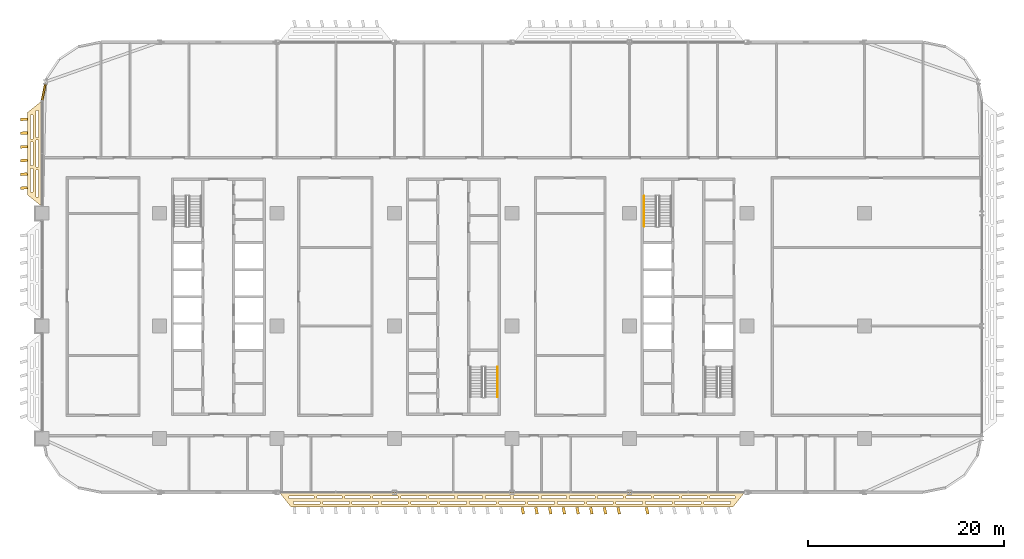
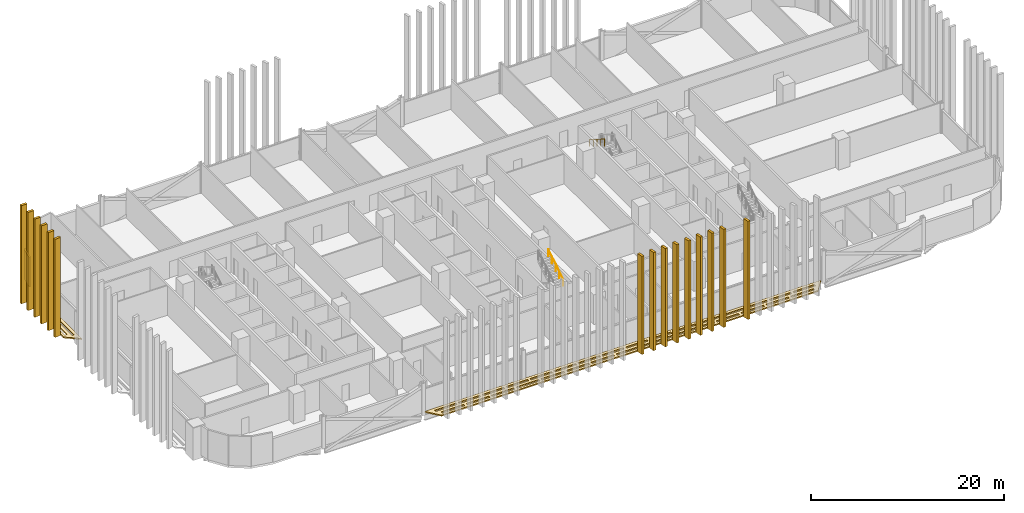
# One storey, part 26 of 31: 18 coverings, 2 railings.
"""IFC4 building model written with IfcOpenShell, lengths in metres."""

from ifc_helpers import new_model, si_unit, direction, frame, origin, origin_2d, place, context, subcontext, project, spatial, polyline, rectangle, circle, outline, extrude, material, layer, layer_set, type_object, element, save


model = new_model("IFC4")

# Units and contexts
model_context = context("Model", 3, precision=1e-05, world=origin(), true_north=direction((0.0, 1.0)))
body_context = subcontext(model_context, "Body", "Model", "MODEL_VIEW")
ifc_project = project(units=[si_unit("LENGTHUNIT", "METRE"), si_unit("AREAUNIT", "SQUARE_METRE"), si_unit("VOLUMEUNIT", "CUBIC_METRE"), si_unit("PLANEANGLEUNIT", "RADIAN"), si_unit("MASSUNIT", "GRAM", prefix="KILO")], contexts=[model_context])

# Site, building, storey
site_placement = place(None, origin())
site = spatial("IfcSite", under=ifc_project, at=site_placement, CompositionType="ELEMENT")
building_placement = place(site_placement, origin())
building = spatial("IfcBuilding", under=site, at=building_placement, Name="Mahtab Terrace Research Tower", CompositionType="ELEMENT")
storey_placement = place(building_placement, frame((0.0, 0.0, 101.199951171875)))
storey = spatial("IfcBuildingStorey", under=building, at=storey_placement, Name="L23", CompositionType="ELEMENT", Elevation=101.199951171875)

# Coverings
ifc_material_1 = material(Name="Black aluminium cladding panel", Category="aluminium")
ifc_layer_1 = layer(ifc_material_1, 0.199951171875)
ifc_layer_set_1 = layer_set([ifc_layer_1], Name="Black metal corner cladding 200")
covering_type_1 = type_object("IfcCoveringType", Name="Black metal corner cladding 200", PredefinedType="CLADDING", material=ifc_layer_set_1)
covering_1_placement = place(storey_placement, frame((-41.833740234375, 23.83544921875, 0.0), z_axis=(0.0, 0.0, 1.0), x_axis=(-0.195212442692, -0.980760981187, 0.0)))
element("IfcCovering", 1, at=covering_1_placement, inside=storey, type_object=covering_type_1, Name="Corner cladding L23 15", PredefinedType="CLADDING", context=body_context, shape_type="SweptSolid", body=[
    extrude(rectangle(XDim=1.6640625, YDim=0.199951171875, at=origin_2d()), origin(), (0.0, 0.0, 1.0), 3.760009765625),
])
ifc_material_2 = material(Name="Black anodised aluminium", Category="aluminium")
ifc_layer_2 = layer(ifc_material_2, 0.14990234375)
ifc_layer_set_2 = layer_set([ifc_layer_2], Name="Horizontal sunshade band")
covering_type_2 = type_object("IfcCoveringType", Name="Horizontal sunshade band", PredefinedType="CLADDING", material=ifc_layer_set_2)
covering_2_placement = place(storey_placement, frame((0.0, 0.0, -0.14990234375)))
element("IfcCovering", 2, at=covering_2_placement, inside=storey, type_object=covering_type_2, Name="Sunshade band L23 16", PredefinedType="CLADDING", context=body_context, shape_type="SweptSolid", body=[
    extrude(outline(polyline([(-42.0, 23.0), (-42.0, 12.199951171875), (-43.5, 13.39990234375), (-43.5, 21.800048828125), (-42.0, 23.0)]), holes=[polyline([(-42.35009765625, 22.02001953125), (-42.35009765625, 19.27294921875), (-42.60009765625, 19.27294921875), (-42.60009765625, 22.02001953125), (-42.35009765625, 22.02001953125)]), polyline([(-42.35009765625, 18.972900390625), (-42.35009765625, 16.22705078125), (-42.60009765625, 16.22705078125), (-42.60009765625, 18.972900390625), (-42.35009765625, 18.972900390625)]), polyline([(-42.35009765625, 15.927001953125), (-42.35009765625, 13.179931640625), (-42.60009765625, 13.179931640625), (-42.60009765625, 15.927001953125), (-42.35009765625, 15.927001953125)]), polyline([(-42.949951171875, 21.5400390625), (-42.949951171875, 19.113037109375), (-43.199951171875, 19.113037109375), (-43.199951171875, 21.5400390625), (-42.949951171875, 21.5400390625)]), polyline([(-42.949951171875, 18.81298828125), (-42.949951171875, 16.386962890625), (-43.199951171875, 16.386962890625), (-43.199951171875, 18.81298828125), (-42.949951171875, 18.81298828125)]), polyline([(-42.949951171875, 16.0869140625), (-42.949951171875, 13.659912109375), (-43.199951171875, 13.659912109375), (-43.199951171875, 16.0869140625), (-42.949951171875, 16.0869140625)])]), origin(), (0.0, 0.0, 1.0), 0.14990234375),
])
covering_3_placement = place(storey_placement, frame((0.0, 0.0, -0.14990234375)))
element("IfcCovering", 3, at=covering_3_placement, inside=storey, type_object=covering_type_2, Name="Sunshade band L23 25", PredefinedType="CLADDING", context=body_context, shape_type="SweptSolid", body=[
    extrude(outline(polyline([(-17.77197265625, -17.0), (29.77197265625, -17.0), (28.572021484375, -18.5), (-16.572021484375, -18.5), (-17.77197265625, -17.0)]), holes=[polyline([(-16.7919921875, -17.35009765625), (-14.22412109375, -17.35009765625), (-14.22412109375, -17.60009765625), (-16.7919921875, -17.60009765625), (-16.7919921875, -17.35009765625)]), polyline([(-13.924072265625, -17.35009765625), (-11.35693359375, -17.35009765625), (-11.35693359375, -17.60009765625), (-13.924072265625, -17.60009765625), (-13.924072265625, -17.35009765625)]), polyline([(-11.055908203125, -17.35009765625), (-8.489013671875, -17.35009765625), (-8.489013671875, -17.60009765625), (-11.055908203125, -17.60009765625), (-11.055908203125, -17.35009765625)]), polyline([(-8.18896484375, -17.35009765625), (-5.62109375, -17.35009765625), (-5.62109375, -17.60009765625), (-8.18896484375, -17.60009765625), (-8.18896484375, -17.35009765625)]), polyline([(-5.321044921875, -17.35009765625), (-2.7529296875, -17.35009765625), (-2.7529296875, -17.60009765625), (-5.321044921875, -17.60009765625), (-5.321044921875, -17.35009765625)]), polyline([(-2.452880859375, -17.35009765625), (0.114013671875, -17.35009765625), (0.114013671875, -17.60009765625), (-2.452880859375, -17.60009765625), (-2.452880859375, -17.35009765625)]), polyline([(0.4140625, -17.35009765625), (2.98193359375, -17.35009765625), (2.98193359375, -17.60009765625), (0.4140625, -17.60009765625), (0.4140625, -17.35009765625)]), polyline([(3.281982421875, -17.35009765625), (5.85009765625, -17.35009765625), (5.85009765625, -17.60009765625), (3.281982421875, -17.60009765625), (3.281982421875, -17.35009765625)]), polyline([(6.14990234375, -17.35009765625), (8.718017578125, -17.35009765625), (8.718017578125, -17.60009765625), (6.14990234375, -17.60009765625), (6.14990234375, -17.35009765625)]), polyline([(9.01806640625, -17.35009765625), (11.5849609375, -17.35009765625), (11.5849609375, -17.60009765625), (9.01806640625, -17.60009765625), (9.01806640625, -17.35009765625)]), polyline([(11.885009765625, -17.35009765625), (14.452880859375, -17.35009765625), (14.452880859375, -17.60009765625), (11.885009765625, -17.60009765625), (11.885009765625, -17.35009765625)]), polyline([(14.7529296875, -17.35009765625), (17.321044921875, -17.35009765625), (17.321044921875, -17.60009765625), (14.7529296875, -17.60009765625), (14.7529296875, -17.35009765625)]), polyline([(17.62109375, -17.35009765625), (20.18896484375, -17.35009765625), (20.18896484375, -17.60009765625), (17.62109375, -17.60009765625), (17.62109375, -17.35009765625)]), polyline([(20.489013671875, -17.35009765625), (23.055908203125, -17.35009765625), (23.055908203125, -17.60009765625), (20.489013671875, -17.60009765625), (20.489013671875, -17.35009765625)]), polyline([(23.35595703125, -17.35009765625), (25.924072265625, -17.35009765625), (25.924072265625, -17.60009765625), (23.35595703125, -17.60009765625), (23.35595703125, -17.35009765625)]), polyline([(26.22412109375, -17.35009765625), (28.7919921875, -17.35009765625), (28.7919921875, -17.60009765625), (26.22412109375, -17.60009765625), (26.22412109375, -17.35009765625)]), polyline([(-16.31201171875, -17.949951171875), (-13.616943359375, -17.949951171875), (-13.616943359375, -18.199951171875), (-16.31201171875, -18.199951171875), (-16.31201171875, -17.949951171875)]), polyline([(-13.31689453125, -17.949951171875), (-10.6220703125, -17.949951171875), (-10.6220703125, -18.199951171875), (-13.31689453125, -18.199951171875), (-13.31689453125, -17.949951171875)]), polyline([(-10.322021484375, -17.949951171875), (-7.626953125, -17.949951171875), (-7.626953125, -18.199951171875), (-10.322021484375, -18.199951171875), (-10.322021484375, -17.949951171875)]), polyline([(-7.326904296875, -17.949951171875), (-4.632080078125, -17.949951171875), (-4.632080078125, -18.199951171875), (-7.326904296875, -18.199951171875), (-7.326904296875, -17.949951171875)]), polyline([(-4.33203125, -17.949951171875), (-1.636962890625, -17.949951171875), (-1.636962890625, -18.199951171875), (-4.33203125, -18.199951171875), (-4.33203125, -17.949951171875)]), polyline([(-1.3369140625, -17.949951171875), (1.35791015625, -17.949951171875), (1.35791015625, -18.199951171875), (-1.3369140625, -18.199951171875), (-1.3369140625, -17.949951171875)]), polyline([(1.657958984375, -17.949951171875), (4.35302734375, -17.949951171875), (4.35302734375, -18.199951171875), (1.657958984375, -18.199951171875), (1.657958984375, -17.949951171875)]), polyline([(4.653076171875, -17.949951171875), (7.346923828125, -17.949951171875), (7.346923828125, -18.199951171875), (4.653076171875, -18.199951171875), (4.653076171875, -17.949951171875)]), polyline([(7.64697265625, -17.949951171875), (10.342041015625, -17.949951171875), (10.342041015625, -18.199951171875), (7.64697265625, -18.199951171875), (7.64697265625, -17.949951171875)]), polyline([(10.64208984375, -17.949951171875), (13.3369140625, -17.949951171875), (13.3369140625, -18.199951171875), (10.64208984375, -18.199951171875), (10.64208984375, -17.949951171875)]), polyline([(13.636962890625, -17.949951171875), (16.33203125, -17.949951171875), (16.33203125, -18.199951171875), (13.636962890625, -18.199951171875), (13.636962890625, -17.949951171875)]), polyline([(16.632080078125, -17.949951171875), (19.326904296875, -17.949951171875), (19.326904296875, -18.199951171875), (16.632080078125, -18.199951171875), (16.632080078125, -17.949951171875)]), polyline([(19.626953125, -17.949951171875), (22.322021484375, -17.949951171875), (22.322021484375, -18.199951171875), (19.626953125, -18.199951171875), (19.626953125, -17.949951171875)]), polyline([(22.6220703125, -17.949951171875), (25.31689453125, -17.949951171875), (25.31689453125, -18.199951171875), (22.6220703125, -18.199951171875), (22.6220703125, -17.949951171875)]), polyline([(25.616943359375, -17.949951171875), (28.31201171875, -17.949951171875), (28.31201171875, -18.199951171875), (25.616943359375, -18.199951171875), (25.616943359375, -17.949951171875)])]), origin(), (0.0, 0.0, 1.0), 0.14990234375),
])

# Railings
ifc_material_3 = material(Name="Stainless steel AISI 304", Category="steel")
railing_type = type_object("IfcRailingType", Name="Stair handrail 900", PredefinedType="HANDRAIL", material=ifc_material_3)
railing_1_placement = place(storey_placement, frame((4.5, -7.2548828125, 2.220947265625)))
element("IfcRailing", 4, at=railing_1_placement, inside=storey, type_object=railing_type, Name="L23 ST2 stair handrail 2", PredefinedType="HANDRAIL", context=body_context, shape_type="SweptSolid", body=[
    extrude(circle(Radius=0.02392578125, at=origin_2d()), frame((0.0, 0.0, 0.8759765625), z_axis=(0.0, 0.853647949592, 0.520850437417), x_axis=(-1.0, 0.0, 0.0)), (0.0, 0.0, 1.0), 3.60791015625),
    extrude(circle(Radius=0.02099609375, at=origin_2d()), origin(), (0.0, 0.0, 1.0), 0.851806640625),
    extrude(circle(Radius=0.02099609375, at=origin_2d()), frame((0.0, 0.77001953125, 0.4697265625)), (0.0, 0.0, 1.0), 0.851806640625),
    extrude(circle(Radius=0.02099609375, at=origin_2d()), frame((0.0, 1.5400390625, 0.939453125)), (0.0, 0.0, 1.0), 0.851806640625),
    extrude(circle(Radius=0.02099609375, at=origin_2d()), frame((0.0, 2.309814453125, 1.409423828125)), (0.0, 0.0, 1.0), 0.851806640625),
    extrude(circle(Radius=0.02099609375, at=origin_2d()), frame((0.0, 3.079833984375, 1.879150390625)), (0.0, 0.0, 1.0), 0.851806640625),
])
railing_2_placement = place(storey_placement, frame((19.5, 13.2548828125, 2.220947265625)))
element("IfcRailing", 5, at=railing_2_placement, inside=storey, type_object=railing_type, Name="L23 ST3 stair handrail 2", PredefinedType="HANDRAIL", context=body_context, shape_type="SweptSolid", body=[
    extrude(circle(Radius=0.02392578125, at=origin_2d()), frame((0.0, 0.0, 0.8759765625), z_axis=(0.0, -0.853647949592, 0.520850437417), x_axis=(1.0, 0.0, 0.0)), (0.0, 0.0, 1.0), 3.60791015625),
    extrude(circle(Radius=0.02099609375, at=origin_2d()), origin(), (0.0, 0.0, 1.0), 0.851806640625),
    extrude(circle(Radius=0.02099609375, at=origin_2d()), frame((0.0, -0.77001953125, 0.4697265625)), (0.0, 0.0, 1.0), 0.851806640625),
    extrude(circle(Radius=0.02099609375, at=origin_2d()), frame((0.0, -1.5400390625, 0.939453125)), (0.0, 0.0, 1.0), 0.851806640625),
    extrude(circle(Radius=0.02099609375, at=origin_2d()), frame((0.0, -2.309814453125, 1.409423828125)), (0.0, 0.0, 1.0), 0.851806640625),
    extrude(circle(Radius=0.02099609375, at=origin_2d()), frame((0.0, -3.079833984375, 1.879150390625)), (0.0, 0.0, 1.0), 0.851806640625),
])

# Coverings
ifc_material_4 = material(Name="Bronze anodised aluminium", Category="aluminium")
ifc_layer_3 = layer(ifc_material_4, 0.1201171875)
ifc_layer_set_3 = layer_set([ifc_layer_3], Name="Vertical fin 700")
covering_type_3 = type_object("IfcCoveringType", Name="Vertical fin 700", PredefinedType="CLADDING", material=ifc_layer_set_3)
for number, where, z_axis, x_axis, name in (
    (6, (-43.852783203125, 21.10009765625, -0.14990234375), (0.0, 0.0, 1.0), (0.019505384007, -0.9998097519, 0.0), "Fin L23 W1"),
    (7, (-43.8544921875, 19.699951171875, -0.14990234375), (0.0, 0.0, 1.0), (0.033873439647, -0.99942613038, 0.0), "Fin L23 W2"),
    (8, (-43.8564453125, 18.300048828125, -0.14990234375), (0.0, 0.0, 1.0), (0.048234497418, -0.998836039227, 0.0), "Fin L23 W3"),
    (9, (-43.858154296875, 16.89990234375, -0.14990234375), (0.0, 0.0, 1.0), (0.062585590529, -0.998039600346, 0.0), "Fin L23 W4"),
    (10, (-43.859619140625, 15.5, -0.14990234375), (0.0, 0.0, 1.0), (0.076923754197, -0.997036978271, 0.0), "Fin L23 W5"),
    (11, (-43.861328125, 14.10009765625, -0.14990234375), (0.0, 0.0, 1.0), (0.091246026325, -0.995828380134, 0.0), "Fin L23 W6"),
    (12, (7.10009765625, -18.869384765625, -0.14990234375), (0.0, 0.0, 1.0), (0.984003703777, 0.178148002944, 0.0), "Fin L23 S1"),
    (13, (8.5, -18.869873046875, -0.14990234375), (0.0, 0.0, 1.0), (0.982950634121, 0.183869657315, 0.0), "Fin L23 S2"),
    (14, (9.89990234375, -18.8701171875, -0.14990234375), (0.0, 0.0, 1.0), (0.981864295235, 0.189585088399, 0.0), "Fin L23 S3"),
    (15, (11.300048828125, -18.87060546875, -0.14990234375), (0.0, 0.0, 1.0), (0.980744723893, 0.195294102715, 0.0), "Fin L23 S4"),
    (16, (12.699951171875, -18.87109375, -0.14990234375), (0.0, 0.0, 1.0), (0.979591957987, 0.20099650705, 0.0), "Fin L23 S5"),
    (17, (14.10009765625, -18.871337890625, -0.14990234375), (0.0, 0.0, 1.0), (0.97840603653, 0.206692108418, 0.0), "Fin L23 S6"),
    (18, (15.5, -18.871826171875, -0.14990234375), (0.0, 0.0, 1.0), (0.977186999666, 0.212380714009, 0.0), "Fin L23 S7"),
    (19, (16.89990234375, -18.8720703125, -0.14990234375), (0.0, 0.0, 1.0), (0.975934888654, 0.218062131302, 0.0), "Fin L23 S8"),
    (20, (19.800048828125, -18.872802734375, -0.14990234375), (0.0, 0.0, 1.0), (0.973236201459, 0.22980708468, 0.0), "Fin L23 S1"),
):
    element("IfcCovering", number, at=place(storey_placement, frame(where, z_axis=z_axis, x_axis=x_axis)), inside=storey, type_object=covering_type_3, Name=name, PredefinedType="CLADDING", context=body_context, shape_type="SweptSolid", body=[
        extrude(rectangle(XDim=0.280029296875, YDim=0.699951171875, at=origin_2d()), origin(), (0.0, 0.0, 1.0), 12.449951171875),
    ])

save(model, "model.ifc")
